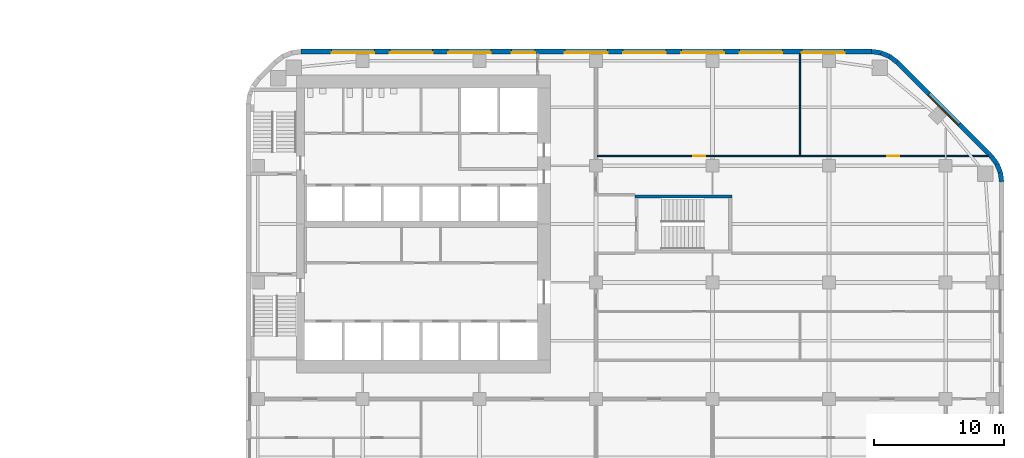
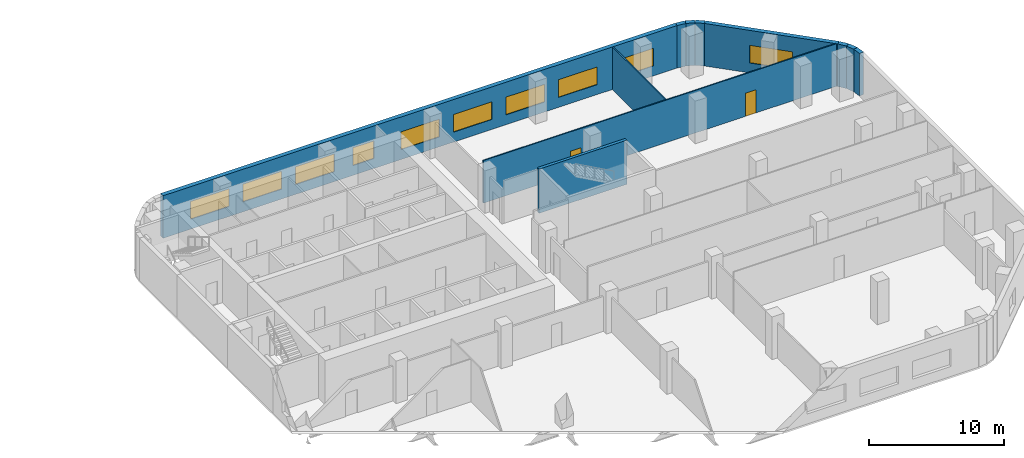
# One storey, part 12 of 16: 11 walls, 10 windows, 2 doors, 12 openings.
"""IFC4 building model written with IfcOpenShell, lengths in metres."""

from ifc_helpers import new_model, si_unit, direction, frame, frame_2d, origin, place, context, subcontext, project, spatial, rectangle, extrude, material, layer, layer_set, type_object, element, fill, save


model = new_model("IFC4")

# Units and contexts
model_context = context("Model", 3, precision=1e-05, world=origin(), true_north=direction((0.0, 1.0)))
body_context = subcontext(model_context, "Body", "Model", "MODEL_VIEW")
ifc_project = project(units=[si_unit("LENGTHUNIT", "METRE"), si_unit("AREAUNIT", "SQUARE_METRE"), si_unit("VOLUMEUNIT", "CUBIC_METRE"), si_unit("PLANEANGLEUNIT", "RADIAN"), si_unit("MASSUNIT", "GRAM", prefix="KILO")], contexts=[model_context])

# Site, building, storey
site_placement = place(None, origin())
site = spatial("IfcSite", under=ifc_project, at=site_placement, CompositionType="ELEMENT")
building_placement = place(site_placement, origin())
building = spatial("IfcBuilding", under=site, at=building_placement, Name="Cinnabar Reach Civic Tower", CompositionType="ELEMENT")
storey_placement = place(building_placement, frame((0.0, 0.0, 79.0)))
storey = spatial("IfcBuildingStorey", under=building, at=storey_placement, Name="L18", CompositionType="ELEMENT", Elevation=79.0)

# Walls
ifc_material_1 = material(Name="Facing brick with insulated backing", Category="masonry")
ifc_layer_1 = layer(ifc_material_1, 0.36)
ifc_layer_set_1 = layer_set([ifc_layer_1], Name="Brick corner wall")
wall_type_1 = type_object("IfcWallType", Name="Brick corner wall", PredefinedType="STANDARD", material=ifc_layer_set_1)
for number, where, z_axis, x_axis, name in (
    (1, (58.317, 34.7686, 0.0), (0.0, 0.0, 1.0), (-0.13055608231, 0.99144092581, 0.0), "Brick corner wall"),
    (2, (58.2181, 35.4973, 0.0), (0.0, 0.0, 1.0), (-0.382702709855, 0.923871547278, 0.0), "Brick corner wall"),
):
    element("IfcWall", number, at=place(storey_placement, frame(where, z_axis=z_axis, x_axis=x_axis)), inside=storey, type_object=wall_type_1, Name=name, PredefinedType="STANDARD", context=body_context, shape_type="SweptSolid", body=[
        extrude(rectangle(XDim=0.7131, YDim=0.36, at=frame_2d((0.3565, 0.0))), origin(), (0.0, 0.0, 1.0), 3.85),
    ])
for number, where, z_axis, x_axis, name in (
    (3, (57.934, 36.1755, 0.0), (0.0, 0.0, 1.0), (-0.608802368033, 0.793321924995, 0.0), "Brick corner wall"),
    (4, (50.2413, 43.9998, 0.0), (0.0, 0.0, 1.0), (-0.793321924995, 0.608802368033, 0.0), "Brick corner wall"),
):
    element("IfcWall", number, at=place(storey_placement, frame(where, z_axis=z_axis, x_axis=x_axis)), inside=storey, type_object=wall_type_1, Name=name, PredefinedType="STANDARD", context=body_context, shape_type="SweptSolid", body=[
        extrude(rectangle(XDim=0.7132, YDim=0.36, at=frame_2d((0.3566, 0.0))), origin(), (0.0, 0.0, 1.0), 3.85),
    ])
for number, where, z_axis, x_axis, name in (
    (5, (49.6561, 44.4452, 0.0), (0.0, 0.0, 1.0), (-0.923871547278, 0.382702709855, 0.0), "Brick corner wall"),
    (6, (48.9756, 44.7239, 0.0), (0.0, 0.0, 1.0), (-0.99144092581, 0.13055608231, 0.0), "Brick corner wall"),
):
    element("IfcWall", number, at=place(storey_placement, frame(where, z_axis=z_axis, x_axis=x_axis)), inside=storey, type_object=wall_type_1, Name=name, PredefinedType="STANDARD", context=body_context, shape_type="SweptSolid", body=[
        extrude(rectangle(XDim=0.7131, YDim=0.36, at=frame_2d((0.3565, 0.0))), origin(), (0.0, 0.0, 1.0), 3.85),
    ])

# Wall, opening, window
ifc_layer_2 = layer(ifc_material_1, 0.36)
ifc_layer_set_2 = layer_set([ifc_layer_2], Name="Brick pier and spandrel wall")
wall_type_2 = type_object("IfcWallType", Name="Brick pier and spandrel wall", PredefinedType="STANDARD", material=ifc_layer_set_2)
wall_1_placement = place(storey_placement, frame((57.494, 36.7514, 0.0), z_axis=(0.0, 0.0, 1.0), x_axis=(-0.707106781187, 0.707106781187, 0.0)))
wall_1 = element("IfcWall", 7, at=wall_1_placement, inside=storey, type_object=wall_type_2, Name="Brick facade wall", PredefinedType="STANDARD", context=body_context, shape_type="SweptSolid", body=[
    extrude(rectangle(XDim=10.2426, YDim=0.36, at=frame_2d((5.1213, 0.0))), origin(), (0.0, 0.0, 1.0), 3.85),
])
opening_1_placement = place(wall_1_placement, frame((3.4713, 0.0, 0.9)))
opening_1 = element("IfcOpeningElement", 8, at=opening_1_placement, cuts=wall_1, Name="Opening W1362", PredefinedType="OPENING", context=body_context, shape_type="SweptSolid", body=[
    extrude(rectangle(XDim=3.3, YDim=1.6, at=frame_2d((1.65, 0.8))), frame((0.0, 0.19, 0.0), z_axis=(0.0, -1.0, 0.0), x_axis=(1.0, 0.0, 0.0)), (0.0, 0.0, 1.0), 0.38),
])
ifc_material_2 = material(Name="Clear double glazing in aluminium frame", Category="aluminium")
window_type_1 = type_object("IfcWindowType", Name="Deep-set window A", PartitioningType="SINGLE_PANEL", PredefinedType="WINDOW", material=ifc_material_2)
window_1_placement = place(opening_1_placement, origin())
window_1 = element("IfcWindow", 9, at=window_1_placement, inside=storey, type_object=window_type_1, Name="Window northeast face", OverallHeight=1.6, OverallWidth=3.3, PartitioningType="SINGLE_PANEL", PredefinedType="WINDOW", context=body_context, shape_type="SweptSolid", body=[
    extrude(rectangle(XDim=3.3, YDim=1.6, at=frame_2d((1.65, 0.8))), frame((0.0, 0.13, 0.0), z_axis=(0.0, -1.0, 0.0), x_axis=(1.0, 0.0, 0.0)), (0.0, 0.0, 1.0), 0.06),
])
fill(opening_1, window_1)

# Wall, openings, windows
wall_2_placement = place(storey_placement, frame((48.2574, 44.82, 0.0), z_axis=(0.0, 0.0, 1.0), x_axis=(-1.0, 0.0, 0.0)))
wall_2 = element("IfcWall", 10, at=wall_2_placement, inside=storey, type_object=wall_type_2, Name="Brick facade wall", PredefinedType="STANDARD", context=body_context, shape_type="SweptSolid", body=[
    extrude(rectangle(XDim=44.0148, YDim=0.36, at=frame_2d((22.0074, 0.0))), origin(), (0.0, 0.0, 1.0), 3.85),
])
opening_2_placement = place(wall_2_placement, frame((2.0574, 0.0, 0.9)))
opening_2 = element("IfcOpeningElement", 11, at=opening_2_placement, cuts=wall_2, Name="Opening W1363", PredefinedType="OPENING", context=body_context, shape_type="SweptSolid", body=[
    extrude(rectangle(XDim=3.3, YDim=1.6, at=frame_2d((1.65, 0.8))), frame((0.0, 0.19, 0.0), z_axis=(0.0, -1.0, 0.0), x_axis=(1.0, 0.0, 0.0)), (0.0, 0.0, 1.0), 0.38),
])
opening_3_placement = place(wall_2_placement, frame((6.8574, 0.0, 0.9)))
opening_3 = element("IfcOpeningElement", 12, at=opening_3_placement, cuts=wall_2, Name="Opening W1364", PredefinedType="OPENING", context=body_context, shape_type="SweptSolid", body=[
    extrude(rectangle(XDim=3.3, YDim=1.6, at=frame_2d((1.65, 0.8))), frame((0.0, 0.19, 0.0), z_axis=(0.0, -1.0, 0.0), x_axis=(1.0, 0.0, 0.0)), (0.0, 0.0, 1.0), 0.38),
])
opening_4_placement = place(wall_2_placement, frame((11.3574, 0.0, 0.9)))
opening_4 = element("IfcOpeningElement", 13, at=opening_4_placement, cuts=wall_2, Name="Opening W1365", PredefinedType="OPENING", context=body_context, shape_type="SweptSolid", body=[
    extrude(rectangle(XDim=3.3, YDim=1.6, at=frame_2d((1.65, 0.8))), frame((0.0, 0.19, 0.0), z_axis=(0.0, -1.0, 0.0), x_axis=(1.0, 0.0, 0.0)), (0.0, 0.0, 1.0), 0.38),
])
opening_5_placement = place(wall_2_placement, frame((15.8574, 0.0, 0.9)))
opening_5 = element("IfcOpeningElement", 14, at=opening_5_placement, cuts=wall_2, Name="Opening W1366", PredefinedType="OPENING", context=body_context, shape_type="SweptSolid", body=[
    extrude(rectangle(XDim=3.3, YDim=1.6, at=frame_2d((1.65, 0.8))), frame((0.0, 0.19, 0.0), z_axis=(0.0, -1.0, 0.0), x_axis=(1.0, 0.0, 0.0)), (0.0, 0.0, 1.0), 0.38),
])
opening_6_placement = place(wall_2_placement, frame((20.3574, 0.0, 0.9)))
opening_6 = element("IfcOpeningElement", 15, at=opening_6_placement, cuts=wall_2, Name="Opening W1367", PredefinedType="OPENING", context=body_context, shape_type="SweptSolid", body=[
    extrude(rectangle(XDim=3.3, YDim=1.6, at=frame_2d((1.65, 0.8))), frame((0.0, 0.19, 0.0), z_axis=(0.0, -1.0, 0.0), x_axis=(1.0, 0.0, 0.0)), (0.0, 0.0, 1.0), 0.38),
])
opening_7_placement = place(wall_2_placement, frame((25.9574, 0.0, 0.9)))
opening_7 = element("IfcOpeningElement", 16, at=opening_7_placement, cuts=wall_2, Name="Opening W1368", PredefinedType="OPENING", context=body_context, shape_type="SweptSolid", body=[
    extrude(rectangle(XDim=1.8, YDim=1.6, at=frame_2d((0.9, 0.8))), frame((0.0, 0.19, 0.0), z_axis=(0.0, -1.0, 0.0), x_axis=(1.0, 0.0, 0.0)), (0.0, 0.0, 1.0), 0.38),
])
opening_8_placement = place(wall_2_placement, frame((29.3574, 0.0, 0.9)))
opening_8 = element("IfcOpeningElement", 17, at=opening_8_placement, cuts=wall_2, Name="Opening W1369", PredefinedType="OPENING", context=body_context, shape_type="SweptSolid", body=[
    extrude(rectangle(XDim=3.3, YDim=1.6, at=frame_2d((1.65, 0.8))), frame((0.0, 0.19, 0.0), z_axis=(0.0, -1.0, 0.0), x_axis=(1.0, 0.0, 0.0)), (0.0, 0.0, 1.0), 0.38),
])
opening_9_placement = place(wall_2_placement, frame((33.8574, 0.0, 0.9)))
opening_9 = element("IfcOpeningElement", 18, at=opening_9_placement, cuts=wall_2, Name="Opening W1370", PredefinedType="OPENING", context=body_context, shape_type="SweptSolid", body=[
    extrude(rectangle(XDim=3.3, YDim=1.6, at=frame_2d((1.65, 0.8))), frame((0.0, 0.19, 0.0), z_axis=(0.0, -1.0, 0.0), x_axis=(1.0, 0.0, 0.0)), (0.0, 0.0, 1.0), 0.38),
])
opening_10_placement = place(wall_2_placement, frame((38.3574, 0.0, 0.9)))
opening_10 = element("IfcOpeningElement", 19, at=opening_10_placement, cuts=wall_2, Name="Opening W1371", PredefinedType="OPENING", context=body_context, shape_type="SweptSolid", body=[
    extrude(rectangle(XDim=3.3, YDim=1.6, at=frame_2d((1.65, 0.8))), frame((0.0, 0.19, 0.0), z_axis=(0.0, -1.0, 0.0), x_axis=(1.0, 0.0, 0.0)), (0.0, 0.0, 1.0), 0.38),
])
window_2_placement = place(opening_2_placement, origin())
window_2 = element("IfcWindow", 20, at=window_2_placement, inside=storey, type_object=window_type_1, Name="Window north face", OverallHeight=1.6, OverallWidth=3.3, PartitioningType="SINGLE_PANEL", PredefinedType="WINDOW", context=body_context, shape_type="SweptSolid", body=[
    extrude(rectangle(XDim=3.3, YDim=1.6, at=frame_2d((1.65, 0.8))), frame((0.0, 0.13, 0.0), z_axis=(0.0, -1.0, 0.0), x_axis=(1.0, 0.0, 0.0)), (0.0, 0.0, 1.0), 0.06),
])
fill(opening_2, window_2)
window_3_placement = place(opening_3_placement, origin())
window_3 = element("IfcWindow", 21, at=window_3_placement, inside=storey, type_object=window_type_1, Name="Window north face", OverallHeight=1.6, OverallWidth=3.3, PartitioningType="SINGLE_PANEL", PredefinedType="WINDOW", context=body_context, shape_type="SweptSolid", body=[
    extrude(rectangle(XDim=3.3, YDim=1.6, at=frame_2d((1.65, 0.8))), frame((0.0, 0.13, 0.0), z_axis=(0.0, -1.0, 0.0), x_axis=(1.0, 0.0, 0.0)), (0.0, 0.0, 1.0), 0.06),
])
fill(opening_3, window_3)
window_4_placement = place(opening_4_placement, origin())
window_4 = element("IfcWindow", 22, at=window_4_placement, inside=storey, type_object=window_type_1, Name="Window north face", OverallHeight=1.6, OverallWidth=3.3, PartitioningType="SINGLE_PANEL", PredefinedType="WINDOW", context=body_context, shape_type="SweptSolid", body=[
    extrude(rectangle(XDim=3.3, YDim=1.6, at=frame_2d((1.65, 0.8))), frame((0.0, 0.13, 0.0), z_axis=(0.0, -1.0, 0.0), x_axis=(1.0, 0.0, 0.0)), (0.0, 0.0, 1.0), 0.06),
])
fill(opening_4, window_4)
window_5_placement = place(opening_5_placement, origin())
window_5 = element("IfcWindow", 23, at=window_5_placement, inside=storey, type_object=window_type_1, Name="Window north face", OverallHeight=1.6, OverallWidth=3.3, PartitioningType="SINGLE_PANEL", PredefinedType="WINDOW", context=body_context, shape_type="SweptSolid", body=[
    extrude(rectangle(XDim=3.3, YDim=1.6, at=frame_2d((1.65, 0.8))), frame((0.0, 0.13, 0.0), z_axis=(0.0, -1.0, 0.0), x_axis=(1.0, 0.0, 0.0)), (0.0, 0.0, 1.0), 0.06),
])
fill(opening_5, window_5)
window_6_placement = place(opening_6_placement, origin())
window_6 = element("IfcWindow", 24, at=window_6_placement, inside=storey, type_object=window_type_1, Name="Window north face", OverallHeight=1.6, OverallWidth=3.3, PartitioningType="SINGLE_PANEL", PredefinedType="WINDOW", context=body_context, shape_type="SweptSolid", body=[
    extrude(rectangle(XDim=3.3, YDim=1.6, at=frame_2d((1.65, 0.8))), frame((0.0, 0.13, 0.0), z_axis=(0.0, -1.0, 0.0), x_axis=(1.0, 0.0, 0.0)), (0.0, 0.0, 1.0), 0.06),
])
fill(opening_6, window_6)
window_7_placement = place(opening_8_placement, origin())
window_7 = element("IfcWindow", 25, at=window_7_placement, inside=storey, type_object=window_type_1, Name="Window north face", OverallHeight=1.6, OverallWidth=3.3, PartitioningType="SINGLE_PANEL", PredefinedType="WINDOW", context=body_context, shape_type="SweptSolid", body=[
    extrude(rectangle(XDim=3.3, YDim=1.6, at=frame_2d((1.65, 0.8))), frame((0.0, 0.13, 0.0), z_axis=(0.0, -1.0, 0.0), x_axis=(1.0, 0.0, 0.0)), (0.0, 0.0, 1.0), 0.06),
])
fill(opening_8, window_7)
window_8_placement = place(opening_9_placement, origin())
window_8 = element("IfcWindow", 26, at=window_8_placement, inside=storey, type_object=window_type_1, Name="Window north face", OverallHeight=1.6, OverallWidth=3.3, PartitioningType="SINGLE_PANEL", PredefinedType="WINDOW", context=body_context, shape_type="SweptSolid", body=[
    extrude(rectangle(XDim=3.3, YDim=1.6, at=frame_2d((1.65, 0.8))), frame((0.0, 0.13, 0.0), z_axis=(0.0, -1.0, 0.0), x_axis=(1.0, 0.0, 0.0)), (0.0, 0.0, 1.0), 0.06),
])
fill(opening_9, window_8)
window_9_placement = place(opening_10_placement, origin())
window_9 = element("IfcWindow", 27, at=window_9_placement, inside=storey, type_object=window_type_1, Name="Window north face", OverallHeight=1.6, OverallWidth=3.3, PartitioningType="SINGLE_PANEL", PredefinedType="WINDOW", context=body_context, shape_type="SweptSolid", body=[
    extrude(rectangle(XDim=3.3, YDim=1.6, at=frame_2d((1.65, 0.8))), frame((0.0, 0.13, 0.0), z_axis=(0.0, -1.0, 0.0), x_axis=(1.0, 0.0, 0.0)), (0.0, 0.0, 1.0), 0.06),
])
fill(opening_10, window_9)
window_type_2 = type_object("IfcWindowType", Name="Deep-set window D", PartitioningType="SINGLE_PANEL", PredefinedType="WINDOW", material=ifc_material_2)
window_10_placement = place(opening_7_placement, origin())
window_10 = element("IfcWindow", 28, at=window_10_placement, inside=storey, type_object=window_type_2, Name="Window north face", OverallHeight=1.6, OverallWidth=1.8, PartitioningType="SINGLE_PANEL", PredefinedType="WINDOW", context=body_context, shape_type="SweptSolid", body=[
    extrude(rectangle(XDim=1.8, YDim=1.6, at=frame_2d((0.9, 0.8))), frame((0.0, 0.13, 0.0), z_axis=(0.0, -1.0, 0.0), x_axis=(1.0, 0.0, 0.0)), (0.0, 0.0, 1.0), 0.06),
])
fill(opening_7, window_10)

# Wall, openings, doors
ifc_material_3 = material(Name="Gypsum board on steel studs", Category="steel")
ifc_layer_3 = layer(ifc_material_3, 0.1)
ifc_layer_set_3 = layer_set([ifc_layer_3], Name="Partition wall 100 T1")
wall_type_3 = type_object("IfcWallType", Name="Partition wall 100 T1", PredefinedType="PARTITIONING", material=ifc_layer_set_3)
wall_3_placement = place(storey_placement, frame((27.075, 36.75, 0.0), z_axis=(0.0, 0.0, 1.0), x_axis=(1.0, 0.0, 0.0)))
wall_3 = element("IfcWall", 29, at=wall_3_placement, inside=storey, type_object=wall_type_3, Name="Partition wall 44", PredefinedType="PARTITIONING", context=body_context, shape_type="SweptSolid", body=[
    extrude(rectangle(XDim=30.2159, YDim=0.1, at=frame_2d((15.108, 0.0))), origin(), (0.0, 0.0, 1.0), 3.85),
])
opening_11_placement = place(wall_3_placement, frame((7.45, 0.0, 0.0)))
opening_11 = element("IfcOpeningElement", 30, at=opening_11_placement, cuts=wall_3, Name="Opening D3738", PredefinedType="OPENING", context=body_context, shape_type="SweptSolid", body=[
    extrude(rectangle(XDim=0.9, YDim=2.1, at=frame_2d((0.45, 1.05))), frame((0.0, 0.06, 0.0), z_axis=(0.0, -1.0, 0.0), x_axis=(1.0, 0.0, 0.0)), (0.0, 0.0, 1.0), 0.12),
])
opening_12_placement = place(wall_3_placement, frame((22.425, 0.0, 0.0)))
opening_12 = element("IfcOpeningElement", 31, at=opening_12_placement, cuts=wall_3, Name="Opening D3739", PredefinedType="OPENING", context=body_context, shape_type="SweptSolid", body=[
    extrude(rectangle(XDim=0.9, YDim=2.1, at=frame_2d((0.45, 1.05))), frame((0.0, 0.06, 0.0), z_axis=(0.0, -1.0, 0.0), x_axis=(1.0, 0.0, 0.0)), (0.0, 0.0, 1.0), 0.12),
])
ifc_material_4 = material(Name="Timber door leaf in steel frame", Category="steel")
door_type = type_object("IfcDoorType", Name="Single swing door 900 x 2100 T1", OperationType="SINGLE_SWING_LEFT", PredefinedType="DOOR", material=ifc_material_4)
door_1_placement = place(opening_11_placement, origin())
door_1 = element("IfcDoor", 32, at=door_1_placement, inside=storey, type_object=door_type, Name="Door D3738", OperationType="SINGLE_SWING_RIGHT", OverallHeight=2.1, OverallWidth=0.9, PredefinedType="DOOR", context=body_context, shape_type="SweptSolid", body=[
    extrude(rectangle(XDim=0.9, YDim=2.1, at=frame_2d((0.45, 1.05))), frame((0.0, 0.025, 0.0), z_axis=(0.0, -1.0, 0.0), x_axis=(1.0, 0.0, 0.0)), (0.0, 0.0, 1.0), 0.05),
])
fill(opening_11, door_1)
door_2_placement = place(opening_12_placement, origin())
door_2 = element("IfcDoor", 33, at=door_2_placement, inside=storey, type_object=door_type, Name="Door D3739", OperationType="SINGLE_SWING_RIGHT", OverallHeight=2.1, OverallWidth=0.9, PredefinedType="DOOR", context=body_context, shape_type="SweptSolid", body=[
    extrude(rectangle(XDim=0.9, YDim=2.1, at=frame_2d((0.45, 1.05))), frame((0.0, 0.025, 0.0), z_axis=(0.0, -1.0, 0.0), x_axis=(1.0, 0.0, 0.0)), (0.0, 0.0, 1.0), 0.05),
])
fill(opening_12, door_2)

# Walls
wall_4_placement = place(storey_placement, frame((42.75, 36.8, 0.0), z_axis=(0.0, 0.0, 1.0), x_axis=(0.0, 1.0, 0.0)))
element("IfcWall", 34, at=wall_4_placement, inside=storey, type_object=wall_type_3, Name="Partition wall 56", PredefinedType="PARTITIONING", context=body_context, shape_type="SweptSolid", body=[
    extrude(rectangle(XDim=7.84, YDim=0.1, at=frame_2d((3.92, 0.0))), origin(), (0.0, 0.0, 1.0), 3.85),
])
ifc_material_5 = material(Name="Concrete C60", Category="concrete")
ifc_layer_4 = layer(ifc_material_5, 0.25)
ifc_layer_set_4 = layer_set([ifc_layer_4], Name="Stair shaft wall 250 EI 120")
wall_type_4 = type_object("IfcWallType", Name="Stair shaft wall 250 EI 120", PredefinedType="SOLIDWALL", material=ifc_layer_set_4)
wall_5_placement = place(storey_placement, frame((37.5, 33.625, 0.0), z_axis=(0.0, 0.0, 1.0), x_axis=(-1.0, 0.0, 0.0)))
element("IfcWall", 35, at=wall_5_placement, inside=storey, type_object=wall_type_4, Name="Stair shaft wall T1-S3 L18", PredefinedType="SOLIDWALL", context=body_context, shape_type="SweptSolid", body=[
    extrude(rectangle(XDim=7.5, YDim=0.25, at=frame_2d((3.75, 0.0))), origin(), (0.0, 0.0, 1.0), 4.0),
])

save(model, "model.ifc")
